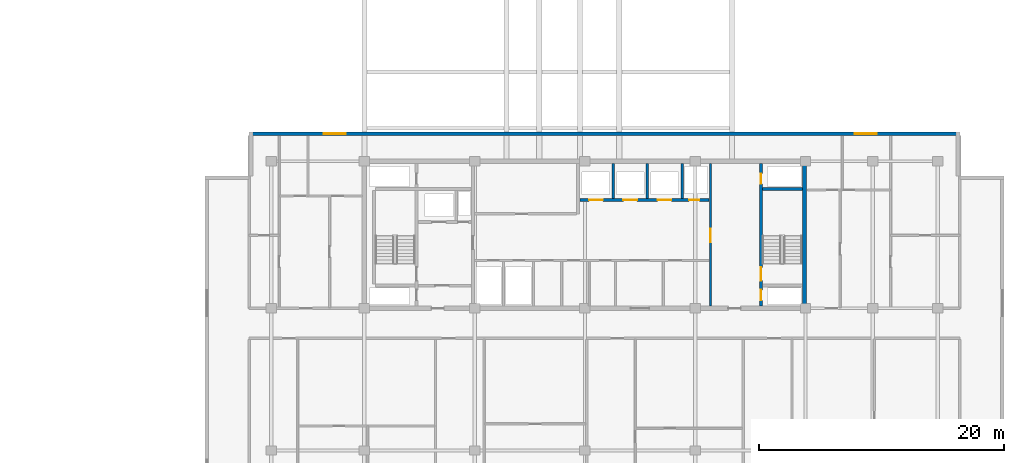
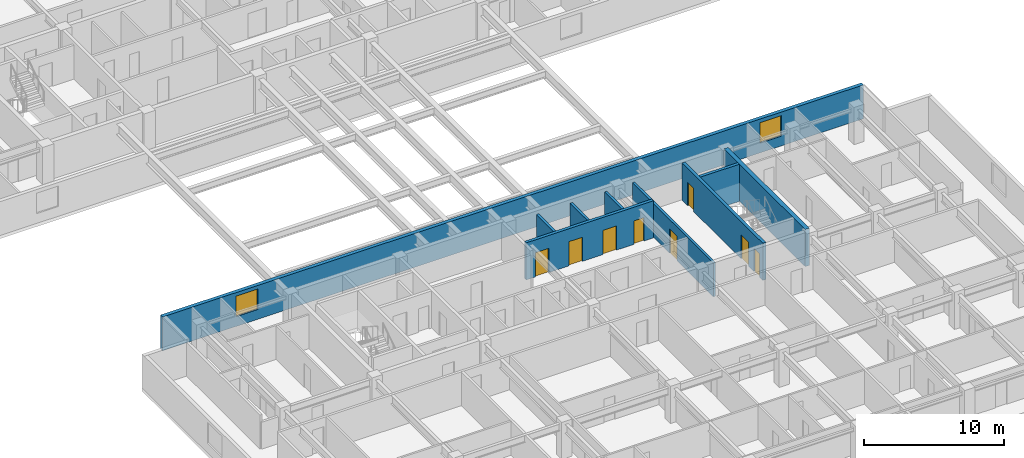
# One storey, part 7 of 21: 9 walls, 8 doors, 2 windows, 10 openings.
"""IFC4 building model written with IfcOpenShell, lengths in metres."""

import ifcopenshell
import ifcopenshell.guid

model = None  # the IFC model being written
_history = None  # IfcOwnerHistory: only IFC2X3 demands one
_inside = {}  # id of a spatial element -> (the spatial element, [elements in it])
_under = {}  # id of a project, library or spatial element -> (it, [spatial elements below it])
_declared = {}  # id of a project -> (the project, [libraries it declares])
_typed = {}  # id of a type object -> (the type object, [elements of that type])
_made_of = {}  # id of a material, layer set ... -> (it, [elements and type objects made of it])


def new_model(schema):
    """Start an empty IFC model of exactly this schema.

    Asked for "IFC4X3", IfcOpenShell would pick the latest addendum, in which some entities
    have other attributes; the version numbers below select the first issue.
    IFC2X3 requires an IfcOwnerHistory on every rooted entity: one is made here for all.
    """
    global model, _history
    if schema == "IFC4X3":
        model = ifcopenshell.file(schema_version=(4, 3, 0, 0))
    else:
        model = ifcopenshell.file(schema=schema)
    _inside.clear()
    _under.clear()
    _declared.clear()
    _typed.clear()
    _made_of.clear()
    _history = None
    if model.schema == "IFC2X3":
        org = make("IfcOrganization", Name="unknown")
        user = make(
            "IfcPersonAndOrganization",
            ThePerson=make("IfcPerson", FamilyName="unknown"),
            TheOrganization=org,
        )
        app = make(
            "IfcApplication",
            ApplicationDeveloper=org,
            Version="unknown",
            ApplicationFullName="unknown",
            ApplicationIdentifier="unknown",
        )
        _history = make(
            "IfcOwnerHistory",
            OwningUser=user,
            OwningApplication=app,
            ChangeAction="ADDED",
            CreationDate=0,
        )
    return model


def make(cls, **values):
    """One entity of the class cls with the attributes given. An attribute that is None is left unset."""
    return model.create_entity(
        cls, **{name: value for name, value in values.items() if value is not None}
    )


def rooted(cls, **values):
    """An entity with a GlobalId (a new one), such as an element, a storey or a relation."""
    return make(cls, GlobalId=ifcopenshell.guid.new(), OwnerHistory=_history, **values)


def si_unit(unit_type, name, prefix=None):
    """IfcSIUnit, for example si_unit("LENGTHUNIT", "METRE", prefix="MILLI")."""
    return make("IfcSIUnit", UnitType=unit_type, Prefix=prefix, Name=name)


def assignment(units):
    """IfcUnitAssignment: the units of a project."""
    return None if units is None else make("IfcUnitAssignment", Units=units)


def point(xyz):
    """IfcCartesianPoint."""
    return None if xyz is None else make("IfcCartesianPoint", Coordinates=xyz)


def direction(xyz):
    """IfcDirection."""
    return None if xyz is None else make("IfcDirection", DirectionRatios=xyz)


def frame(location, z_axis=None, x_axis=None):
    """IfcAxis2Placement3D, a coordinate frame: its origin and axes. An axis left out is left unset."""
    return make(
        "IfcAxis2Placement3D",
        Location=point(location),
        Axis=direction(z_axis),
        RefDirection=direction(x_axis),
    )


def frame_2d(location, x_axis=None):
    """IfcAxis2Placement2D, a coordinate frame in the plane: its origin and x axis."""
    return make(
        "IfcAxis2Placement2D", Location=point(location), RefDirection=direction(x_axis)
    )


def origin():
    """The frame at (0, 0, 0) with its axes left unset."""
    return frame((0.0, 0.0, 0.0))


def place(relative_to, where):
    """IfcLocalPlacement: puts the frame where relative to a parent placement (None: the world)."""
    return make(
        "IfcLocalPlacement", PlacementRelTo=relative_to, RelativePlacement=where
    )


def context(
    kind, dimensions, precision=None, world=None, true_north=None, identifier=None
):
    """IfcGeometricRepresentationContext, for example the 3D "Model" context."""
    return make(
        "IfcGeometricRepresentationContext",
        ContextIdentifier=identifier,
        ContextType=kind,
        CoordinateSpaceDimension=dimensions,
        Precision=precision,
        WorldCoordinateSystem=world,
        TrueNorth=true_north,
    )


def subcontext(parent, identifier, kind, view, scale=None):
    """IfcGeometricRepresentationSubContext, for example "Body" below "Model"."""
    return make(
        "IfcGeometricRepresentationSubContext",
        ContextIdentifier=identifier,
        ContextType=kind,
        ParentContext=parent,
        TargetScale=scale,
        TargetView=view,
    )


def project(units=None, contexts=None):
    """IfcProject with its units and contexts."""
    return rooted(
        "IfcProject",
        Name="project",
        RepresentationContexts=contexts,
        UnitsInContext=assignment(units),
    )


def spatial(cls, under=None, at=None, **own):
    """A site, building, storey or space (cls), placed at a placement, below another one or the project."""
    s = rooted(cls, ObjectPlacement=at, **own)
    if under is not None:
        _under.setdefault(under.id(), (under, []))[1].append(s)
    return s


def profile(cls, at=None, kind="AREA", **sizes):
    """A parametric profile (cls). Its sizes go by their IFC names, for example OverallWidth=200.0."""
    return make(cls, ProfileType=kind, Position=at, **sizes)


def rectangle(**sizes):
    """IfcRectangleProfileDef."""
    return profile("IfcRectangleProfileDef", **sizes)


def extrude(swept, where, along, depth):
    """IfcExtrudedAreaSolid: the profile swept, set in the frame where, extruded along a direction by depth."""
    return make(
        "IfcExtrudedAreaSolid",
        SweptArea=swept,
        Position=where,
        ExtrudedDirection=direction(along),
        Depth=depth,
    )


def shape(context_of_items, identifier, shape_type, items):
    """IfcShapeRepresentation: the items that make up one representation, for example the "Body"."""
    return make(
        "IfcShapeRepresentation",
        ContextOfItems=context_of_items,
        RepresentationIdentifier=identifier,
        RepresentationType=shape_type,
        Items=items,
    )


def material(Name=None, Category=None):
    """IfcMaterial."""
    return make("IfcMaterial", Name=Name, Category=Category)


def layer(
    of_material, thickness, ventilated=None, Name=None, Category=None, Priority=None
):
    """IfcMaterialLayer: one layer of a wall or slab, of a material (None: an air gap)."""
    return make(
        "IfcMaterialLayer",
        Material=of_material,
        LayerThickness=thickness,
        IsVentilated=ventilated,
        Name=Name,
        Category=Category,
        Priority=Priority,
    )


def layer_set(layers, Name=None):
    """IfcMaterialLayerSet."""
    return make("IfcMaterialLayerSet", MaterialLayers=layers, LayerSetName=Name)


def made_of(thing, what):
    """Note that an element or type object is made of a material, layer set ...; save() writes the relation."""
    if what is not None:
        _made_of.setdefault(what.id(), (what, []))[1].append(thing)
    return thing


def type_object(cls, material=None, **own):
    """A type object (cls), such as IfcWallType, which elements share."""
    return made_of(rooted(cls, **own), material)


def element(
    cls,
    number,
    at=None,
    inside=None,
    cuts=None,
    type_object=None,
    material=None,
    context=None,
    identifier="Body",
    shape_type=None,
    held_by="IfcProductDefinitionShape",
    body=None,
    shapes=None,
    **own,
):
    """One element of the class cls, such as IfcWall. Its Tag is "e" and its number.

    at: its placement. inside: the storey or other place that contains it. cuts: it is an
    opening in that element (IfcRelVoidsElement). A single representation is given by context,
    identifier, shape_type and body (its items); several are given by shapes. held_by: the class
    of the entity that holds the representations. save() writes the other relations.
    """
    e = rooted(cls, Tag="e%d" % number, ObjectPlacement=at, **own)
    if body is not None:
        shapes = [shape(context, identifier, shape_type, body)]
    if shapes is not None:
        e.Representation = make(held_by, Representations=shapes)
    if inside is not None:
        _inside.setdefault(inside.id(), (inside, []))[1].append(e)
    if cuts is not None:
        rooted(
            "IfcRelVoidsElement", RelatingBuildingElement=cuts, RelatedOpeningElement=e
        )
    if type_object is not None:
        _typed.setdefault(type_object.id(), (type_object, []))[1].append(e)
    return made_of(e, material)


def fill(opening, filler):
    """IfcRelFillsElement: the door or window that sits in an opening."""
    return rooted(
        "IfcRelFillsElement",
        RelatingOpeningElement=opening,
        RelatedBuildingElement=filler,
    )


def aggregate(whole, parts):
    """IfcRelAggregates: a whole, such as a stair, and the parts it consists of."""
    return rooted("IfcRelAggregates", RelatingObject=whole, RelatedObjects=parts)


def save(model, path):
    """Write the relations noted so far, then the file.

    IfcRelAggregates (storeys below a building ...), IfcRelContainedInSpatialStructure (elements
    in a storey), IfcRelDefinesByType, IfcRelAssociatesMaterial and IfcRelDeclares: one each for
    every whole, place, type object, material and project.
    """
    for whole, parts in _under.values():
        aggregate(whole, parts)
    for where, things in _inside.values():
        rooted(
            "IfcRelContainedInSpatialStructure",
            RelatedElements=things,
            RelatingStructure=where,
        )
    for kind, things in _typed.values():
        rooted("IfcRelDefinesByType", RelatedObjects=things, RelatingType=kind)
    for what, things in _made_of.values():
        rooted("IfcRelAssociatesMaterial", RelatedObjects=things, RelatingMaterial=what)
    for by, libraries in _declared.values():
        rooted("IfcRelDeclares", RelatingContext=by, RelatedDefinitions=libraries)
    model.write(path)


model = new_model("IFC4")

# Units and contexts
model_context = context("Model", 3, precision=1e-05, world=origin(), true_north=direction((0.0, 1.0)))
body_context = subcontext(model_context, "Body", "Model", "MODEL_VIEW")
ifc_project = project(units=[si_unit("LENGTHUNIT", "METRE"), si_unit("AREAUNIT", "SQUARE_METRE"), si_unit("VOLUMEUNIT", "CUBIC_METRE"), si_unit("PLANEANGLEUNIT", "RADIAN"), si_unit("MASSUNIT", "GRAM", prefix="KILO")], contexts=[model_context])

# Site, building, storey
site_placement = place(None, origin())
site = spatial("IfcSite", under=ifc_project, at=site_placement, CompositionType="ELEMENT")
building_placement = place(site_placement, origin())
building = spatial("IfcBuilding", under=site, at=building_placement, Name="Korimba Cascade Residences", CompositionType="ELEMENT")
storey_placement = place(building_placement, frame((0.0, 0.0, 136.050048828125)))
storey = spatial("IfcBuildingStorey", under=building, at=storey_placement, Name="L39", CompositionType="ELEMENT", Elevation=136.050048828125)

# Wall, openings, windows
ifc_material_1 = material(Name="Precast concrete C40/50", Category="concrete")
ifc_layer_1 = layer(ifc_material_1, 0.300048828125)
ifc_layer_set_1 = layer_set([ifc_layer_1], Name="Precast concrete C40/50")
wall_type_1 = type_object("IfcWallType", Name="EW-STONE-300", PredefinedType="STANDARD", material=ifc_layer_set_1)
wall_1_placement = place(storey_placement, frame((130.699951171875, 32.64990234375, 0.0), z_axis=(0.0, 0.0, 1.0), x_axis=(-1.0, 0.0, 0.0)))
wall_1 = element("IfcWall", 1, at=wall_1_placement, inside=storey, type_object=wall_type_1, Name="L39 T2 Perimeter Stone Wall E06", PredefinedType="STANDARD", context=body_context, shape_type="SweptSolid", body=[
    extrude(rectangle(XDim=58.0, YDim=0.300048828125, at=frame_2d((29.0, 0.0))), origin(), (0.0, 0.0, 1.0), 2.9599609375),
])
opening_1_placement = place(wall_1_placement, frame((50.125, 0.0, 0.85009765625)))
opening_1 = element("IfcOpeningElement", 2, at=opening_1_placement, cuts=wall_1, Name="Opening W-02", PredefinedType="OPENING", context=body_context, shape_type="SweptSolid", body=[
    extrude(rectangle(XDim=1.800048828125, YDim=1.800048828125, at=frame_2d((0.89990234375, 0.89990234375))), frame((0.0, 0.16015625, 0.0), z_axis=(0.0, -1.0, 0.0), x_axis=(1.0, 0.0, 0.0)), (0.0, 0.0, 1.0), 0.320068359375),
])
opening_2_placement = place(wall_1_placement, frame((6.77490234375, 0.0, 0.85009765625)))
opening_2 = element("IfcOpeningElement", 3, at=opening_2_placement, cuts=wall_1, Name="Opening W-02", PredefinedType="OPENING", context=body_context, shape_type="SweptSolid", body=[
    extrude(rectangle(XDim=1.800048828125, YDim=1.800048828125, at=frame_2d((0.89990234375, 0.89990234375))), frame((0.0, 0.16015625, 0.0), z_axis=(0.0, -1.0, 0.0), x_axis=(1.0, 0.0, 0.0)), (0.0, 0.0, 1.0), 0.320068359375),
])
ifc_material_2 = material(Name="Double-Glazed Aluminium Window", Category="aluminium")
window_type = type_object("IfcWindowType", Name="WIN-BED-1800", PartitioningType="SINGLE_PANEL", PredefinedType="WINDOW", material=ifc_material_2)
window_1_placement = place(opening_1_placement, origin())
window_1 = element("IfcWindow", 4, at=window_1_placement, inside=storey, type_object=window_type, Name="L39 T2 North Corner Bedroom Window 1", OverallHeight=1.800048828125, OverallWidth=1.800048828125, PartitioningType="SINGLE_PANEL", PredefinedType="WINDOW", context=body_context, shape_type="SweptSolid", body=[
    extrude(rectangle(XDim=1.800048828125, YDim=1.800048828125, at=frame_2d((0.89990234375, 0.89990234375))), frame((0.0, 0.030029296875, 0.0), z_axis=(0.0, -1.0, 0.0), x_axis=(1.0, 0.0, 0.0)), (0.0, 0.0, 1.0), 0.06005859375),
])
fill(opening_1, window_1)
window_2_placement = place(opening_2_placement, origin())
window_2 = element("IfcWindow", 5, at=window_2_placement, inside=storey, type_object=window_type, Name="L39 T2 North Corner Bedroom Window 2", OverallHeight=1.800048828125, OverallWidth=1.800048828125, PartitioningType="SINGLE_PANEL", PredefinedType="WINDOW", context=body_context, shape_type="SweptSolid", body=[
    extrude(rectangle(XDim=1.800048828125, YDim=1.800048828125, at=frame_2d((0.89990234375, 0.89990234375))), frame((0.0, 0.030029296875, 0.0), z_axis=(0.0, -1.0, 0.0), x_axis=(1.0, 0.0, 0.0)), (0.0, 0.0, 1.0), 0.06005859375),
])
fill(opening_2, window_2)

# Walls
ifc_material_3 = material(Name="Concrete C65/80", Category="concrete")
ifc_layer_2 = layer(ifc_material_3, 0.35009765625)
ifc_layer_set_2 = layer_set([ifc_layer_2], Name="Concrete C65/80")
wall_type_2 = type_object("IfcWallType", Name="WAL-CORE-350", PredefinedType="SHEAR", material=ifc_layer_set_2)
wall_2_placement = place(storey_placement, frame((118.014892578125, 18.574951171875, 0.0), z_axis=(0.0, 0.0, 1.0), x_axis=(0.0, 1.0, 0.0)))
element("IfcWall", 6, at=wall_2_placement, inside=storey, type_object=wall_type_2, Name="L39 Core Shear Wall CW-L39-T2-E", PredefinedType="SHEAR", context=body_context, shape_type="SweptSolid", body=[
    extrude(rectangle(XDim=11.650146484375, YDim=0.35009765625, at=frame_2d((5.8251953125, 0.0))), origin(), (0.0, 0.0, 1.0), 3.25),
])
ifc_material_4 = material(Name="Concrete C40/50", Category="concrete")
ifc_layer_3 = layer(ifc_material_4, 0.199951171875)
ifc_layer_set_3 = layer_set([ifc_layer_3], Name="Concrete C40/50")
wall_type_3 = type_object("IfcWallType", Name="WAL-PART-200", PredefinedType="PARTITIONING", material=ifc_layer_set_3)
for number, where, z_axis, x_axis, name in (
    (7, (102.39990234375, 27.3798828125, 0.0), (0.0, 0.0, 1.0), (0.0, 1.0, 0.0), "L39 Partition Wall CW-L39-T2-B2D1"),
    (8, (105.199951171875, 27.3798828125, 0.0), (0.0, 0.0, 1.0), (0.0, 1.0, 0.0), "L39 Partition Wall CW-L39-T2-B2D2"),
    (9, (108.050048828125, 27.3798828125, 0.0), (0.0, 0.0, 1.0), (0.0, 1.0, 0.0), "L39 Partition Wall CW-L39-T2-B2D3"),
):
    element("IfcWall", number, at=place(storey_placement, frame(where, z_axis=z_axis, x_axis=x_axis)), inside=storey, type_object=wall_type_3, Name=name, PredefinedType="PARTITIONING", context=body_context, shape_type="SweptSolid", body=[
        extrude(rectangle(XDim=2.820068359375, YDim=0.199951171875, at=frame_2d((1.41015625, 0.0))), origin(), (0.0, 0.0, 1.0), 2.9599609375),
    ])

# Wall, opening, door
wall_3_placement = place(storey_placement, frame((110.35009765625, 18.60009765625, 0.0), z_axis=(0.0, 0.0, 1.0), x_axis=(0.0, 1.0, 0.0)))
wall_3 = element("IfcWall", 10, at=wall_3_placement, inside=storey, type_object=wall_type_3, Name="L39 Partition Wall CW-L39-T2-LLEV", PredefinedType="PARTITIONING", context=body_context, shape_type="SweptSolid", body=[
    extrude(rectangle(XDim=11.599853515625, YDim=0.199951171875, at=frame_2d((5.7998046875, 0.0))), origin(), (0.0, 0.0, 1.0), 2.9599609375),
])
opening_3_placement = place(wall_3_placement, frame((5.199951171875, 0.0, 0.0)))
opening_3 = element("IfcOpeningElement", 11, at=opening_3_placement, cuts=wall_3, Name="Opening D-FD6", PredefinedType="OPENING", context=body_context, shape_type="SweptSolid", body=[
    extrude(rectangle(XDim=1.10009765625, YDim=2.14990234375, at=frame_2d((0.550048828125, 1.074951171875))), frame((0.0, 0.10986328125, 0.0), z_axis=(0.0, -1.0, 0.0), x_axis=(1.0, 0.0, 0.0)), (0.0, 0.0, 1.0), 0.219970703125),
])
ifc_material_5 = material(Name="Fire-Rated Timber Stair Lobby Door", Category="wood")
door_type_1 = type_object("IfcDoorType", Name="DR-FD90-1100", OperationType="NOTDEFINED", PredefinedType="DOOR", material=ifc_material_5)
door_1_placement = place(opening_3_placement, origin())
door_1 = element("IfcDoor", 12, at=door_1_placement, inside=storey, type_object=door_type_1, Name="L39 T2 Lift Lobby to East Stair Lobby Door", OperationType="SINGLE_SWING_RIGHT", OverallHeight=2.14990234375, OverallWidth=1.10009765625, PredefinedType="DOOR", context=body_context, shape_type="SweptSolid", body=[
    extrude(rectangle(XDim=1.10009765625, YDim=2.14990234375, at=frame_2d((0.550048828125, 1.074951171875))), frame((0.0, 0.02490234375, 0.0), z_axis=(0.0, -1.0, 0.0), x_axis=(1.0, 0.0, 0.0)), (0.0, 0.0, 1.0), 0.050048828125),
])
fill(opening_3, door_1)

# Wall, openings, doors
ifc_material_6 = material(Name="Concrete C50/60", Category="concrete")
ifc_layer_4 = layer(ifc_material_6, 0.25)
ifc_layer_set_4 = layer_set([ifc_layer_4], Name="Concrete C50/60")
wall_type_4 = type_object("IfcWallType", Name="WAL-SHAFT-250", PredefinedType="SHEAR", material=ifc_layer_set_4)
wall_4_placement = place(storey_placement, frame((99.679931640625, 27.25, 0.0), z_axis=(0.0, 0.0, 1.0), x_axis=(1.0, 0.0, 0.0)))
wall_4 = element("IfcWall", 13, at=wall_4_placement, inside=storey, type_object=wall_type_4, Name="L39 Core Shear Wall CW-L39-T2-B2S", PredefinedType="SHEAR", context=body_context, shape_type="SweptSolid", body=[
    extrude(rectangle(XDim=10.5400390625, YDim=0.25, at=frame_2d((5.27001953125, 0.0))), origin(), (0.0, 0.0, 1.0), 3.25),
])
opening_4_placement = place(wall_4_placement, frame((0.760009765625, 0.0, 0.0)))
opening_4 = element("IfcOpeningElement", 14, at=opening_4_placement, cuts=wall_4, Name="Opening LD-01", PredefinedType="OPENING", context=body_context, shape_type="SweptSolid", body=[
    extrude(rectangle(XDim=1.1201171875, YDim=2.1201171875, at=frame_2d((0.56005859375, 1.06005859375))), frame((0.0, 0.135009765625, 0.0), z_axis=(0.0, -1.0, 0.0), x_axis=(1.0, 0.0, 0.0)), (0.0, 0.0, 1.0), 0.27001953125),
])
opening_5_placement = place(wall_4_placement, frame((3.56005859375, 0.0, 0.0)))
opening_5 = element("IfcOpeningElement", 15, at=opening_5_placement, cuts=wall_4, Name="Opening LD-01", PredefinedType="OPENING", context=body_context, shape_type="SweptSolid", body=[
    extrude(rectangle(XDim=1.1201171875, YDim=2.1201171875, at=frame_2d((0.56005859375, 1.06005859375))), frame((0.0, 0.135009765625, 0.0), z_axis=(0.0, -1.0, 0.0), x_axis=(1.0, 0.0, 0.0)), (0.0, 0.0, 1.0), 0.27001953125),
])
opening_6_placement = place(wall_4_placement, frame((6.360107421875, 0.0, 0.0)))
opening_6 = element("IfcOpeningElement", 16, at=opening_6_placement, cuts=wall_4, Name="Opening LD-01", PredefinedType="OPENING", context=body_context, shape_type="SweptSolid", body=[
    extrude(rectangle(XDim=1.1201171875, YDim=2.1201171875, at=frame_2d((0.56005859375, 1.06005859375))), frame((0.0, 0.135009765625, 0.0), z_axis=(0.0, -1.0, 0.0), x_axis=(1.0, 0.0, 0.0)), (0.0, 0.0, 1.0), 0.27001953125),
])
opening_7_placement = place(wall_4_placement, frame((8.919921875, 0.0, 0.0)))
opening_7 = element("IfcOpeningElement", 17, at=opening_7_placement, cuts=wall_4, Name="Opening D-RS1", PredefinedType="OPENING", context=body_context, shape_type="SweptSolid", body=[
    extrude(rectangle(XDim=0.85009765625, YDim=2.050048828125, at=frame_2d((0.425048828125, 1.02490234375))), frame((0.0, 0.135009765625, 0.0), z_axis=(0.0, -1.0, 0.0), x_axis=(1.0, 0.0, 0.0)), (0.0, 0.0, 1.0), 0.27001953125),
])
ifc_material_7 = material(Name="Fire-Rated Steel Riser Access Door", Category="steel")
door_type_2 = type_object("IfcDoorType", Name="DR-FD60-850", OperationType="NOTDEFINED", PredefinedType="DOOR", material=ifc_material_7)
door_2_placement = place(opening_7_placement, origin())
door_2 = element("IfcDoor", 18, at=door_2_placement, inside=storey, type_object=door_type_2, Name="L39 T2 Duct Door", OperationType="SINGLE_SWING_LEFT", OverallHeight=2.050048828125, OverallWidth=0.85009765625, PredefinedType="DOOR", context=body_context, shape_type="SweptSolid", body=[
    extrude(rectangle(XDim=0.85009765625, YDim=2.050048828125, at=frame_2d((0.425048828125, 1.02490234375))), frame((0.0, 0.02490234375, 0.0), z_axis=(0.0, -1.0, 0.0), x_axis=(1.0, 0.0, 0.0)), (0.0, 0.0, 1.0), 0.050048828125),
])
fill(opening_7, door_2)
ifc_material_8 = material(Name="Stainless Steel Lift Landing Sliding Door", Category="steel")
door_type_3 = type_object("IfcDoorType", Name="DR-LIFT-1100", OperationType="NOTDEFINED", PredefinedType="DOOR", material=ifc_material_8)
door_3_placement = place(opening_4_placement, origin())
door_3 = element("IfcDoor", 19, at=door_3_placement, inside=storey, type_object=door_type_3, Name="L39 Lift Landing Door PL-E4", OperationType="SLIDING_TO_RIGHT", OverallHeight=2.1201171875, OverallWidth=1.1201171875, PredefinedType="DOOR", context=body_context, shape_type="SweptSolid", body=[
    extrude(rectangle(XDim=1.1201171875, YDim=2.1201171875, at=frame_2d((0.56005859375, 1.06005859375))), frame((0.0, 0.02490234375, 0.0), z_axis=(0.0, -1.0, 0.0), x_axis=(1.0, 0.0, 0.0)), (0.0, 0.0, 1.0), 0.050048828125),
])
fill(opening_4, door_3)
door_4_placement = place(opening_5_placement, origin())
door_4 = element("IfcDoor", 20, at=door_4_placement, inside=storey, type_object=door_type_3, Name="L39 Lift Landing Door PL-E5", OperationType="SLIDING_TO_RIGHT", OverallHeight=2.1201171875, OverallWidth=1.1201171875, PredefinedType="DOOR", context=body_context, shape_type="SweptSolid", body=[
    extrude(rectangle(XDim=1.1201171875, YDim=2.1201171875, at=frame_2d((0.56005859375, 1.06005859375))), frame((0.0, 0.02490234375, 0.0), z_axis=(0.0, -1.0, 0.0), x_axis=(1.0, 0.0, 0.0)), (0.0, 0.0, 1.0), 0.050048828125),
])
fill(opening_5, door_4)
door_5_placement = place(opening_6_placement, origin())
door_5 = element("IfcDoor", 21, at=door_5_placement, inside=storey, type_object=door_type_3, Name="L39 Lift Landing Door PL-E6", OperationType="SLIDING_TO_RIGHT", OverallHeight=2.1201171875, OverallWidth=1.1201171875, PredefinedType="DOOR", context=body_context, shape_type="SweptSolid", body=[
    extrude(rectangle(XDim=1.1201171875, YDim=2.1201171875, at=frame_2d((0.56005859375, 1.06005859375))), frame((0.0, 0.02490234375, 0.0), z_axis=(0.0, -1.0, 0.0), x_axis=(1.0, 0.0, 0.0)), (0.0, 0.0, 1.0), 0.050048828125),
])
fill(opening_6, door_5)

wall_5_placement = place(storey_placement, frame((114.47509765625, 18.60009765625, 0.0), z_axis=(0.0, 0.0, 1.0), x_axis=(0.0, 1.0, 0.0)))
wall_5 = element("IfcWall", 22, at=wall_5_placement, inside=storey, type_object=wall_type_4, Name="L39 Core Shear Wall CW-L39-T2-STE2W", PredefinedType="SHEAR", context=body_context, shape_type="SweptSolid", body=[
    extrude(rectangle(XDim=11.599853515625, YDim=0.25, at=frame_2d((5.7998046875, 0.0))), origin(), (0.0, 0.0, 1.0), 3.25),
])
opening_8_placement = place(wall_5_placement, frame((0.449951171875, 0.0, 0.0)))
opening_8 = element("IfcOpeningElement", 23, at=opening_8_placement, cuts=wall_5, Name="Opening D-RS1", PredefinedType="OPENING", context=body_context, shape_type="SweptSolid", body=[
    extrude(rectangle(XDim=0.85009765625, YDim=2.050048828125, at=frame_2d((0.425048828125, 1.02490234375))), frame((0.0, 0.135009765625, 0.0), z_axis=(0.0, -1.0, 0.0), x_axis=(1.0, 0.0, 0.0)), (0.0, 0.0, 1.0), 0.27001953125),
])
opening_9_placement = place(wall_5_placement, frame((2.050048828125, 0.0, 0.0)))
opening_9 = element("IfcOpeningElement", 24, at=opening_9_placement, cuts=wall_5, Name="Opening D-FD1", PredefinedType="OPENING", context=body_context, shape_type="SweptSolid", body=[
    extrude(rectangle(XDim=1.10009765625, YDim=2.10009765625, at=frame_2d((0.550048828125, 1.050048828125))), frame((0.0, 0.135009765625, 0.0), z_axis=(0.0, -1.0, 0.0), x_axis=(1.0, 0.0, 0.0)), (0.0, 0.0, 1.0), 0.27001953125),
])
opening_10_placement = place(wall_5_placement, frame((9.949951171875, 0.0, 0.0)))
opening_10 = element("IfcOpeningElement", 25, at=opening_10_placement, cuts=wall_5, Name="Opening D-RS1", PredefinedType="OPENING", context=body_context, shape_type="SweptSolid", body=[
    extrude(rectangle(XDim=0.85009765625, YDim=2.050048828125, at=frame_2d((0.425048828125, 1.02490234375))), frame((0.0, 0.135009765625, 0.0), z_axis=(0.0, -1.0, 0.0), x_axis=(1.0, 0.0, 0.0)), (0.0, 0.0, 1.0), 0.27001953125),
])
ifc_material_9 = material(Name="Fire-Rated Steel Core Door", Category="steel")
door_type_4 = type_object("IfcDoorType", Name="DR-FD120-1100", OperationType="NOTDEFINED", PredefinedType="DOOR", material=ifc_material_9)
door_6_placement = place(opening_9_placement, origin())
door_6 = element("IfcDoor", 26, at=door_6_placement, inside=storey, type_object=door_type_4, Name="L39 Fire Stair ST-E2 Door", OperationType="SINGLE_SWING_RIGHT", OverallHeight=2.10009765625, OverallWidth=1.10009765625, PredefinedType="DOOR", context=body_context, shape_type="SweptSolid", body=[
    extrude(rectangle(XDim=1.10009765625, YDim=2.10009765625, at=frame_2d((0.550048828125, 1.050048828125))), frame((0.0, 0.02490234375, 0.0), z_axis=(0.0, -1.0, 0.0), x_axis=(1.0, 0.0, 0.0)), (0.0, 0.0, 1.0), 0.050048828125),
])
fill(opening_9, door_6)
door_7_placement = place(opening_8_placement, origin())
door_7 = element("IfcDoor", 27, at=door_7_placement, inside=storey, type_object=door_type_2, Name="L39 T2 East Hydrant Door", OperationType="SINGLE_SWING_LEFT", OverallHeight=2.050048828125, OverallWidth=0.85009765625, PredefinedType="DOOR", context=body_context, shape_type="SweptSolid", body=[
    extrude(rectangle(XDim=0.85009765625, YDim=2.050048828125, at=frame_2d((0.425048828125, 1.02490234375))), frame((0.0, 0.02490234375, 0.0), z_axis=(0.0, -1.0, 0.0), x_axis=(1.0, 0.0, 0.0)), (0.0, 0.0, 1.0), 0.050048828125),
])
fill(opening_8, door_7)
door_8_placement = place(opening_10_placement, origin())
door_8 = element("IfcDoor", 28, at=door_8_placement, inside=storey, type_object=door_type_2, Name="L39 T2 East Riser Door", OperationType="SINGLE_SWING_LEFT", OverallHeight=2.050048828125, OverallWidth=0.85009765625, PredefinedType="DOOR", context=body_context, shape_type="SweptSolid", body=[
    extrude(rectangle(XDim=0.85009765625, YDim=2.050048828125, at=frame_2d((0.425048828125, 1.02490234375))), frame((0.0, 0.02490234375, 0.0), z_axis=(0.0, -1.0, 0.0), x_axis=(1.0, 0.0, 0.0)), (0.0, 0.0, 1.0), 0.050048828125),
])
fill(opening_10, door_8)

# Wall
wall_6_placement = place(storey_placement, frame((114.60009765625, 28.125, 0.0), z_axis=(0.0, 0.0, 1.0), x_axis=(1.0, 0.0, 0.0)))
element("IfcWall", 29, at=wall_6_placement, inside=storey, type_object=wall_type_4, Name="L39 Core Shear Wall CW-L39-T2-STE2N", PredefinedType="SHEAR", context=body_context, shape_type="SweptSolid", body=[
    extrude(rectangle(XDim=3.239990234375, YDim=0.25, at=frame_2d((1.6201171875, 0.0))), origin(), (0.0, 0.0, 1.0), 3.25),
])

save(model, "model.ifc")
